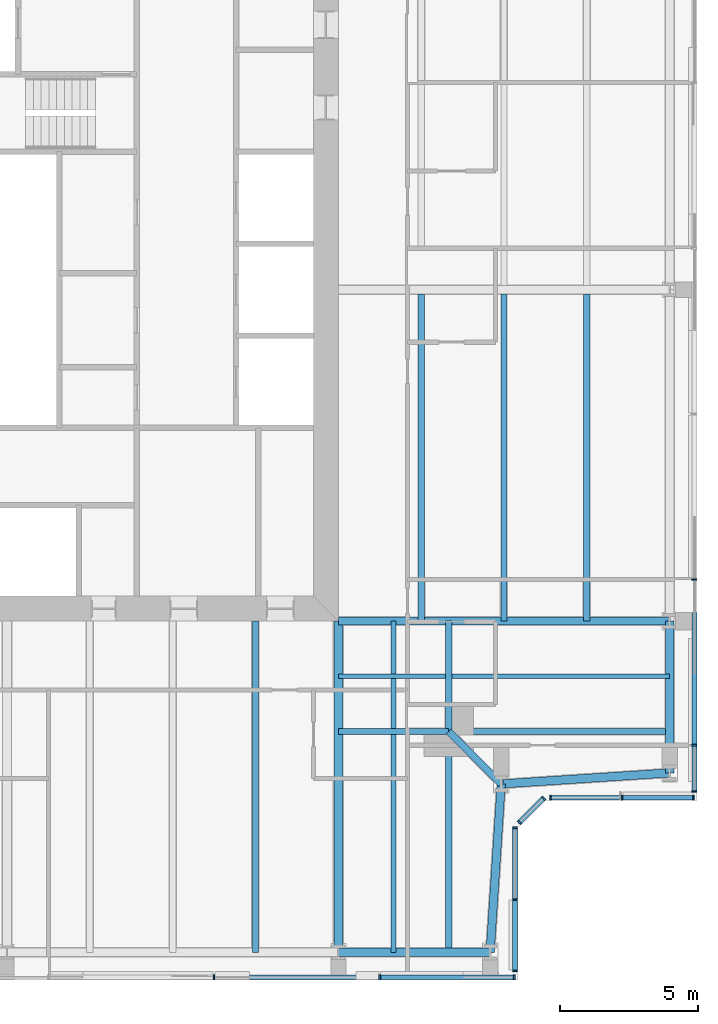
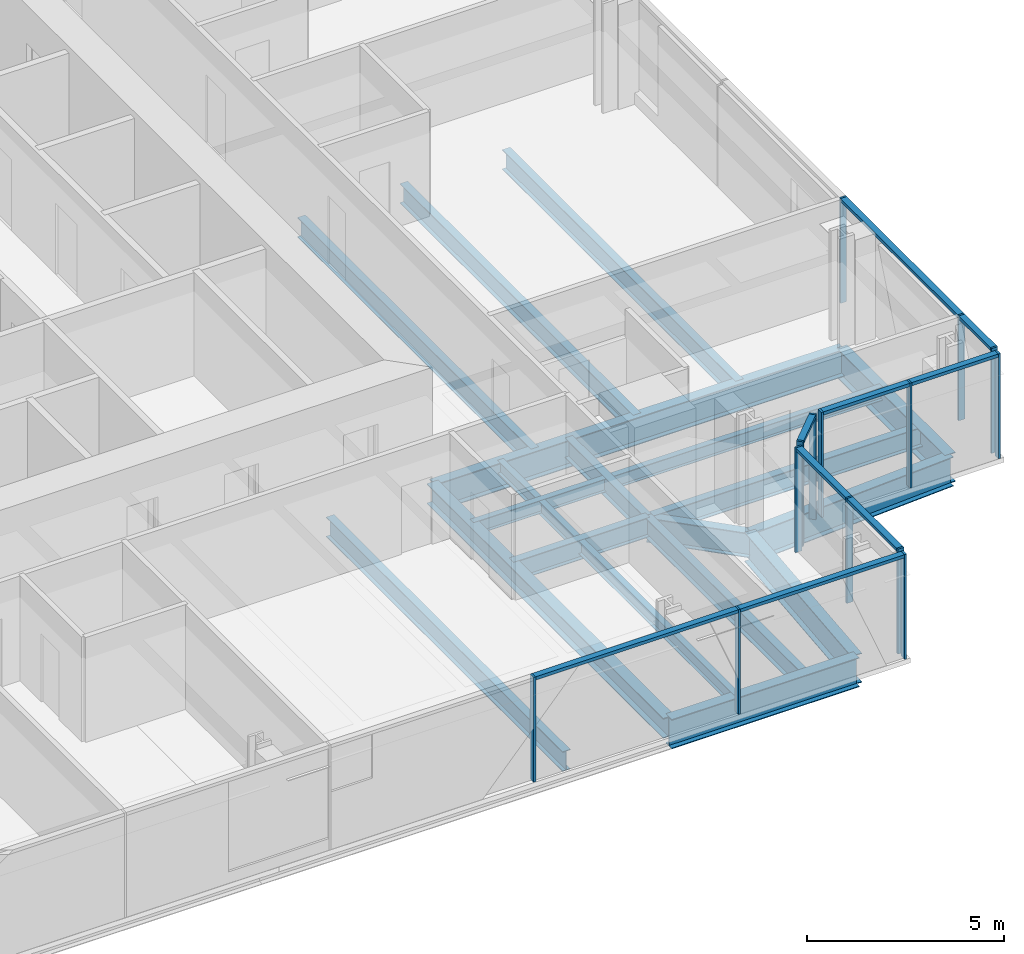
# One storey, part 5 of 20: 23 members, 20 beams, 5 elements without a shape of their own.
"""IFC4 building model written with IfcOpenShell, lengths in metres."""

from ifc_helpers import new_model, si_unit, direction, frame, origin, origin_2d, place, context, subcontext, project, spatial, rectangle, i_section, extrude, material, material_profile, profile_set, type_object, element, aggregate, save


model = new_model("IFC4")

# Units and contexts
model_context = context("Model", 3, precision=1e-05, world=origin(), true_north=direction((0.0, 1.0)))
body_context = subcontext(model_context, "Body", "Model", "MODEL_VIEW")
ifc_project = project(units=[si_unit("LENGTHUNIT", "METRE"), si_unit("AREAUNIT", "SQUARE_METRE"), si_unit("VOLUMEUNIT", "CUBIC_METRE"), si_unit("PLANEANGLEUNIT", "RADIAN"), si_unit("MASSUNIT", "GRAM", prefix="KILO")], contexts=[model_context])

# Site, building, storey
site_placement = place(None, origin())
site = spatial("IfcSite", under=ifc_project, at=site_placement, CompositionType="ELEMENT")
building_placement = place(site_placement, origin())
building = spatial("IfcBuilding", under=site, at=building_placement, Name="Fenwick Lantern Interchange", CompositionType="ELEMENT")
storey_placement = place(building_placement, frame((0.0, 0.0, 286.60009765625)))
storey = spatial("IfcBuildingStorey", under=building, at=storey_placement, Name="L69", CompositionType="ELEMENT", Elevation=286.60009765625)

# Beams
ifc_material_1 = material(Name="Steel ASTM A992 Grade 50", Category="steel")
ifc_material_profile_1 = material_profile(ifc_material_1, i_section(OverallWidth=0.3046875, OverallDepth=0.911865234375, WebThickness=0.015869140625, FlangeThickness=0.02392578125, at=origin_2d()), Name="W36X150")
ifc_profile_set_1 = profile_set([ifc_material_profile_1], Name="Steel ASTM A992 Grade 50")
beam_type_1 = type_object("IfcBeamType", Name="EDGE BEAM W36X150", PredefinedType="SPANDREL", material=ifc_profile_set_1)
beam_1_placement = place(storey_placement, frame((37.0, 1.0, -0.60595703125), z_axis=(1.0, 0.0, 0.0), x_axis=(0.0, 1.0, 0.0)))
element("IfcBeam", 1, at=beam_1_placement, inside=storey, type_object=beam_type_1, Name="L69/FR/S/EB4", PredefinedType="SPANDREL", context=body_context, shape_type="SweptSolid", body=[
    extrude(i_section(OverallWidth=0.3046875, OverallDepth=0.911865234375, WebThickness=0.015869140625, FlangeThickness=0.02392578125, at=origin_2d()), origin(), (0.0, 0.0, 1.0), 5.5),
])
for number, where, z_axis, x_axis, name in (
    (2, (42.5, 1.0, -0.60595703125), (0.065416293237, 0.997858060337, 0.0), (-0.997858060337, 0.065416293237, 0.0), "L69/FR/S/EBR1"),
    (3, (42.89990234375, 7.10009765625, -0.60595703125), (0.997858060337, 0.065416293237, 0.0), (-0.065416293237, 0.997858060337, 0.0), "L69/FR/S/EBR2"),
):
    element("IfcBeam", number, at=place(storey_placement, frame(where, z_axis=z_axis, x_axis=x_axis)), inside=storey, type_object=beam_type_1, Name=name, PredefinedType="SPANDREL", context=body_context, shape_type="SweptSolid", body=[
        extrude(i_section(OverallWidth=0.3046875, OverallDepth=0.911865234375, WebThickness=0.015869140625, FlangeThickness=0.02392578125, at=origin_2d()), origin(), (0.0, 0.0, 1.0), 6.11328125),
    ])
beam_2_placement = place(storey_placement, frame((49.0, 7.5, -0.60595703125), z_axis=(0.0, 1.0, 0.0), x_axis=(-1.0, 0.0, 0.0)))
element("IfcBeam", 4, at=beam_2_placement, inside=storey, type_object=beam_type_1, Name="L69/FR/E/EB1", PredefinedType="SPANDREL", context=body_context, shape_type="SweptSolid", body=[
    extrude(i_section(OverallWidth=0.3046875, OverallDepth=0.911865234375, WebThickness=0.015869140625, FlangeThickness=0.02392578125, at=origin_2d()), origin(), (0.0, 0.0, 1.0), 5.5),
])
ifc_material_profile_2 = material_profile(ifc_material_1, i_section(OverallWidth=0.22900390625, OverallDepth=0.612060546875, WebThickness=0.011962890625, FlangeThickness=0.01953125, at=origin_2d()), Name="W24X84")
ifc_profile_set_2 = profile_set([ifc_material_profile_2], Name="Steel ASTM A992 Grade 50")
beam_type_2 = type_object("IfcBeamType", Name="FLOOR BEAM W24X84", PredefinedType="BEAM", material=ifc_profile_set_2)
beam_3_placement = place(storey_placement, frame((34.0, 1.0, -0.4560546875), z_axis=(0.0, 1.0, 0.0), x_axis=(-1.0, 0.0, 0.0)))
element("IfcBeam", 5, at=beam_3_placement, inside=storey, type_object=beam_type_2, Name="L69/FR/S/R08", PredefinedType="BEAM", context=body_context, shape_type="SweptSolid", body=[
    extrude(i_section(OverallWidth=0.22900390625, OverallDepth=0.612060546875, WebThickness=0.011962890625, FlangeThickness=0.01953125, at=origin_2d()), origin(), (0.0, 0.0, 1.0), 12.0),
])
for number, where, z_axis, x_axis, name in (
    (6, (46.0, 13.0, -0.4560546875), (0.0, 1.0, 0.0), (-1.0, 0.0, 0.0), "L69/FR/E/B01"),
    (7, (43.0, 13.0, -0.4560546875), (0.0, 1.0, 0.0), (-1.0, 0.0, 0.0), "L69/FR/E/B02"),
    (8, (40.0, 13.0, -0.4560546875), (0.0, 1.0, 0.0), (-1.0, 0.0, 0.0), "L69/FR/E/B03"),
):
    element("IfcBeam", number, at=place(storey_placement, frame(where, z_axis=z_axis, x_axis=x_axis)), inside=storey, type_object=beam_type_2, Name=name, PredefinedType="BEAM", context=body_context, shape_type="SweptSolid", body=[
        extrude(i_section(OverallWidth=0.22900390625, OverallDepth=0.612060546875, WebThickness=0.011962890625, FlangeThickness=0.01953125, at=origin_2d()), origin(), (0.0, 0.0, 1.0), 11.844970703125),
    ])

# Curtain wall, members
ifc_material_2 = material(Name="Aluminium curtain wall frame", Category="aluminium")
curtain_wall_type = type_object("IfcCurtainWallType", Name="HOTEL CURTAIN WALL", PredefinedType="USERDEFINED", material=ifc_material_2)
curtain_wall_1_placement = place(storey_placement, origin())
curtain_wall_1 = element("IfcCurtainWall", 9, at=curtain_wall_1_placement, inside=storey, type_object=curtain_wall_type, Name="Hotel curtain wall 01", ObjectType="HOTEL CURTAIN WALL", PredefinedType="USERDEFINED")
ifc_material_3 = material(Name="Aluminium extrusion", Category="aluminium")
ifc_material_profile_3 = material_profile(ifc_material_3, rectangle(XDim=0.179931640625, YDim=0.06005859375, at=origin_2d()), Name="HOTEL CURTAIN WALL MULLION 60 X 180")
ifc_profile_set_3 = profile_set([ifc_material_profile_3], Name="Aluminium extrusion")
member_type_1 = type_object("IfcMemberType", Name="HOTEL CURTAIN WALL MULLION 60 X 180", PredefinedType="MULLION", material=ifc_profile_set_3)
member_1_placement = place(storey_placement, frame((32.5, 0.10009765625, 0.0), z_axis=(0.0, 0.0, 1.0), x_axis=(0.0, 1.0, 0.0)))
member_1 = element("IfcMember", 10, at=member_1_placement, type_object=member_type_1, Name="L69/CW/01/M05", PredefinedType="MULLION", context=body_context, shape_type="SweptSolid", body=[
    extrude(rectangle(XDim=0.179931640625, YDim=0.06005859375, at=origin_2d()), origin(), (0.0, 0.0, 1.0), 3.25),
])
member_2_placement = place(storey_placement, frame((38.5, 0.10009765625, 0.0), z_axis=(0.0, 0.0, 1.0), x_axis=(0.0, 1.0, 0.0)))
member_2 = element("IfcMember", 11, at=member_2_placement, type_object=member_type_1, Name="L69/CW/01/M06", PredefinedType="MULLION", context=body_context, shape_type="SweptSolid", body=[
    extrude(rectangle(XDim=0.179931640625, YDim=0.06005859375, at=origin_2d()), origin(), (0.0, 0.0, 1.0), 3.25),
])
member_3_placement = place(storey_placement, frame((43.3701171875, 0.10009765625, 0.0), z_axis=(0.0, 0.0, 1.0), x_axis=(0.0, 1.0, 0.0)))
member_3 = element("IfcMember", 12, at=member_3_placement, type_object=member_type_1, Name="L69/CW/01/M07", PredefinedType="MULLION", context=body_context, shape_type="SweptSolid", body=[
    extrude(rectangle(XDim=0.179931640625, YDim=0.06005859375, at=origin_2d()), origin(), (0.0, 0.0, 1.0), 3.25),
])

curtain_wall_2_placement = place(storey_placement, origin())
curtain_wall_2 = element("IfcCurtainWall", 13, at=curtain_wall_2_placement, inside=storey, type_object=curtain_wall_type, Name="Hotel curtain wall 02", ObjectType="HOTEL CURTAIN WALL", PredefinedType="USERDEFINED")
member_4_placement = place(storey_placement, frame((43.39990234375, 0.330078125, 0.0), z_axis=(0.0, 0.0, 1.0), x_axis=(-1.0, 0.0, 0.0)))
member_4 = element("IfcMember", 14, at=member_4_placement, type_object=member_type_1, Name="L69/CW/02/M00", PredefinedType="MULLION", context=body_context, shape_type="SweptSolid", body=[
    extrude(rectangle(XDim=0.179931640625, YDim=0.06005859375, at=origin_2d()), origin(), (0.0, 0.0, 1.0), 3.25),
])
member_5_placement = place(storey_placement, frame((43.39990234375, 2.920654296875, 0.0), z_axis=(0.0, 0.0, 1.0), x_axis=(-1.0, 0.0, 0.0)))
member_5 = element("IfcMember", 15, at=member_5_placement, type_object=member_type_1, Name="L69/CW/02/M01", PredefinedType="MULLION", context=body_context, shape_type="SweptSolid", body=[
    extrude(rectangle(XDim=0.179931640625, YDim=0.06005859375, at=origin_2d()), origin(), (0.0, 0.0, 1.0), 3.25),
])
member_6_placement = place(storey_placement, frame((43.39990234375, 5.511474609375, 0.0), z_axis=(0.0, 0.0, 1.0), x_axis=(-1.0, 0.0, 0.0)))
member_6 = element("IfcMember", 16, at=member_6_placement, type_object=member_type_1, Name="L69/CW/02/M02", PredefinedType="MULLION", context=body_context, shape_type="SweptSolid", body=[
    extrude(rectangle(XDim=0.179931640625, YDim=0.06005859375, at=origin_2d()), origin(), (0.0, 0.0, 1.0), 3.25),
])

curtain_wall_3_placement = place(storey_placement, origin())
curtain_wall_3 = element("IfcCurtainWall", 17, at=curtain_wall_3_placement, inside=storey, type_object=curtain_wall_type, Name="Hotel curtain wall 03", ObjectType="HOTEL CURTAIN WALL", PredefinedType="USERDEFINED")
member_7_placement = place(storey_placement, frame((43.562744140625, 5.7041015625, 0.0), z_axis=(0.0, 0.0, 1.0), x_axis=(-0.707106781187, 0.707106781187, 0.0)))
member_7 = element("IfcMember", 18, at=member_7_placement, type_object=member_type_1, Name="L69/CW/03/M00", PredefinedType="MULLION", context=body_context, shape_type="SweptSolid", body=[
    extrude(rectangle(XDim=0.179931640625, YDim=0.06005859375, at=origin_2d()), origin(), (0.0, 0.0, 1.0), 3.25),
])
member_8_placement = place(storey_placement, frame((44.437255859375, 6.578857421875, 0.0), z_axis=(0.0, 0.0, 1.0), x_axis=(-0.707106781187, 0.707106781187, 0.0)))
member_8 = element("IfcMember", 19, at=member_8_placement, type_object=member_type_1, Name="L69/CW/03/M01", PredefinedType="MULLION", context=body_context, shape_type="SweptSolid", body=[
    extrude(rectangle(XDim=0.179931640625, YDim=0.06005859375, at=origin_2d()), origin(), (0.0, 0.0, 1.0), 3.25),
])

curtain_wall_4_placement = place(storey_placement, origin())
curtain_wall_4 = element("IfcCurtainWall", 20, at=curtain_wall_4_placement, inside=storey, type_object=curtain_wall_type, Name="Hotel curtain wall 04", ObjectType="HOTEL CURTAIN WALL", PredefinedType="USERDEFINED")
member_9_placement = place(storey_placement, frame((44.6884765625, 6.60009765625, 0.0), z_axis=(0.0, 0.0, 1.0), x_axis=(0.0, 1.0, 0.0)))
member_9 = element("IfcMember", 21, at=member_9_placement, type_object=member_type_1, Name="L69/CW/04/M00", PredefinedType="MULLION", context=body_context, shape_type="SweptSolid", body=[
    extrude(rectangle(XDim=0.179931640625, YDim=0.06005859375, at=origin_2d()), origin(), (0.0, 0.0, 1.0), 3.25),
])
member_10_placement = place(storey_placement, frame((47.279296875, 6.60009765625, 0.0), z_axis=(0.0, 0.0, 1.0), x_axis=(0.0, 1.0, 0.0)))
member_10 = element("IfcMember", 22, at=member_10_placement, type_object=member_type_1, Name="L69/CW/04/M01", PredefinedType="MULLION", context=body_context, shape_type="SweptSolid", body=[
    extrude(rectangle(XDim=0.179931640625, YDim=0.06005859375, at=origin_2d()), origin(), (0.0, 0.0, 1.0), 3.25),
])
member_11_placement = place(storey_placement, frame((49.8701171875, 6.60009765625, 0.0), z_axis=(0.0, 0.0, 1.0), x_axis=(0.0, 1.0, 0.0)))
member_11 = element("IfcMember", 23, at=member_11_placement, type_object=member_type_1, Name="L69/CW/04/M02", PredefinedType="MULLION", context=body_context, shape_type="SweptSolid", body=[
    extrude(rectangle(XDim=0.179931640625, YDim=0.06005859375, at=origin_2d()), origin(), (0.0, 0.0, 1.0), 3.25),
])

curtain_wall_5_placement = place(storey_placement, origin())
curtain_wall_5 = element("IfcCurtainWall", 24, at=curtain_wall_5_placement, inside=storey, type_object=curtain_wall_type, Name="Hotel curtain wall 05", ObjectType="HOTEL CURTAIN WALL", PredefinedType="USERDEFINED")
member_12_placement = place(storey_placement, frame((49.89990234375, 6.830078125, 0.0), z_axis=(0.0, 0.0, 1.0), x_axis=(-1.0, 0.0, 0.0)))
member_12 = element("IfcMember", 25, at=member_12_placement, type_object=member_type_1, Name="L69/CW/05/M00", PredefinedType="MULLION", context=body_context, shape_type="SweptSolid", body=[
    extrude(rectangle(XDim=0.179931640625, YDim=0.06005859375, at=origin_2d()), origin(), (0.0, 0.0, 1.0), 3.25),
])
member_13_placement = place(storey_placement, frame((49.89990234375, 8.5, 0.0), z_axis=(0.0, 0.0, 1.0), x_axis=(-1.0, 0.0, 0.0)))
member_13 = element("IfcMember", 26, at=member_13_placement, type_object=member_type_1, Name="L69/CW/05/M01", PredefinedType="MULLION", context=body_context, shape_type="SweptSolid", body=[
    extrude(rectangle(XDim=0.179931640625, YDim=0.06005859375, at=origin_2d()), origin(), (0.0, 0.0, 1.0), 3.25),
])
member_14_placement = place(storey_placement, frame((49.89990234375, 14.5, 0.0), z_axis=(0.0, 0.0, 1.0), x_axis=(-1.0, 0.0, 0.0)))
member_14 = element("IfcMember", 27, at=member_14_placement, type_object=member_type_1, Name="L69/CW/05/M02", PredefinedType="MULLION", context=body_context, shape_type="SweptSolid", body=[
    extrude(rectangle(XDim=0.179931640625, YDim=0.06005859375, at=origin_2d()), origin(), (0.0, 0.0, 1.0), 3.25),
])

# Member
ifc_material_profile_4 = material_profile(ifc_material_3, rectangle(XDim=0.179931640625, YDim=0.10009765625, at=origin_2d()), Name="HOTEL CURTAIN WALL TRANSOM 100 X 180")
ifc_profile_set_4 = profile_set([ifc_material_profile_4], Name="Aluminium extrusion")
member_type_2 = type_object("IfcMemberType", Name="HOTEL CURTAIN WALL TRANSOM 100 X 180", PredefinedType="MULLION", material=ifc_profile_set_4)
member_15_placement = place(storey_placement, frame((32.530029296875, 0.10009765625, 3.199951171875), z_axis=(1.0, 0.0, 0.0), x_axis=(0.0, 1.0, 0.0)))
member_15 = element("IfcMember", 28, at=member_15_placement, type_object=member_type_2, Name="L69/CW/01/T05", PredefinedType="MULLION", context=body_context, shape_type="SweptSolid", body=[
    extrude(rectangle(XDim=0.179931640625, YDim=0.10009765625, at=origin_2d()), origin(), (0.0, 0.0, 1.0), 5.93994140625),
])

member_16_placement = place(storey_placement, frame((38.530029296875, 0.10009765625, 3.199951171875), z_axis=(1.0, 0.0, 0.0), x_axis=(0.0, 1.0, 0.0)))
member_16 = element("IfcMember", 29, at=member_16_placement, type_object=member_type_2, Name="L69/CW/01/T06", PredefinedType="MULLION", context=body_context, shape_type="SweptSolid", body=[
    extrude(rectangle(XDim=0.179931640625, YDim=0.10009765625, at=origin_2d()), origin(), (0.0, 0.0, 1.0), 4.81005859375),
])

aggregate(curtain_wall_1, [member_1, member_2, member_3, member_15, member_16])

member_17_placement = place(storey_placement, frame((43.39990234375, 0.360107421875, 3.199951171875), z_axis=(0.0, 1.0, 0.0), x_axis=(-1.0, 0.0, 0.0)))
member_17 = element("IfcMember", 30, at=member_17_placement, type_object=member_type_2, Name="L69/CW/02/T00", PredefinedType="MULLION", context=body_context, shape_type="SweptSolid", body=[
    extrude(rectangle(XDim=0.179931640625, YDim=0.10009765625, at=origin_2d()), origin(), (0.0, 0.0, 1.0), 2.530517578125),
])

member_18_placement = place(storey_placement, frame((43.39990234375, 2.95068359375, 3.199951171875), z_axis=(0.0, 1.0, 0.0), x_axis=(-1.0, 0.0, 0.0)))
member_18 = element("IfcMember", 31, at=member_18_placement, type_object=member_type_2, Name="L69/CW/02/T01", PredefinedType="MULLION", context=body_context, shape_type="SweptSolid", body=[
    extrude(rectangle(XDim=0.179931640625, YDim=0.10009765625, at=origin_2d()), origin(), (0.0, 0.0, 1.0), 2.53076171875),
])

aggregate(curtain_wall_2, [member_4, member_5, member_6, member_17, member_18])

member_19_placement = place(storey_placement, frame((43.583740234375, 5.725341796875, 3.199951171875), z_axis=(0.707210470133, 0.707003077033, 0.0), x_axis=(-0.707003077033, 0.707210470133, 0.0)))
member_19 = element("IfcMember", 32, at=member_19_placement, type_object=member_type_2, Name="L69/CW/03/T00", PredefinedType="MULLION", context=body_context, shape_type="SweptSolid", body=[
    extrude(rectangle(XDim=0.179931640625, YDim=0.10009765625, at=origin_2d()), origin(), (0.0, 0.0, 1.0), 1.17724609375),
])

aggregate(curtain_wall_3, [member_7, member_8, member_19])

member_20_placement = place(storey_placement, frame((44.718505859375, 6.60009765625, 3.199951171875), z_axis=(1.0, 0.0, 0.0), x_axis=(0.0, 1.0, 0.0)))
member_20 = element("IfcMember", 33, at=member_20_placement, type_object=member_type_2, Name="L69/CW/04/T00", PredefinedType="MULLION", context=body_context, shape_type="SweptSolid", body=[
    extrude(rectangle(XDim=0.179931640625, YDim=0.10009765625, at=origin_2d()), origin(), (0.0, 0.0, 1.0), 2.53076171875),
])

member_21_placement = place(storey_placement, frame((47.309326171875, 6.60009765625, 3.199951171875), z_axis=(1.0, 0.0, 0.0), x_axis=(0.0, 1.0, 0.0)))
member_21 = element("IfcMember", 34, at=member_21_placement, type_object=member_type_2, Name="L69/CW/04/T01", PredefinedType="MULLION", context=body_context, shape_type="SweptSolid", body=[
    extrude(rectangle(XDim=0.179931640625, YDim=0.10009765625, at=origin_2d()), origin(), (0.0, 0.0, 1.0), 2.53076171875),
])

aggregate(curtain_wall_4, [member_9, member_10, member_11, member_20, member_21])

member_22_placement = place(storey_placement, frame((49.89990234375, 6.860107421875, 3.199951171875), z_axis=(0.0, 1.0, 0.0), x_axis=(-1.0, 0.0, 0.0)))
member_22 = element("IfcMember", 35, at=member_22_placement, type_object=member_type_2, Name="L69/CW/05/T00", PredefinedType="MULLION", context=body_context, shape_type="SweptSolid", body=[
    extrude(rectangle(XDim=0.179931640625, YDim=0.10009765625, at=origin_2d()), origin(), (0.0, 0.0, 1.0), 1.60986328125),
])

member_23_placement = place(storey_placement, frame((49.89990234375, 8.530029296875, 3.199951171875), z_axis=(0.0, 1.0, 0.0), x_axis=(-1.0, 0.0, 0.0)))
member_23 = element("IfcMember", 36, at=member_23_placement, type_object=member_type_2, Name="L69/CW/05/T01", PredefinedType="MULLION", context=body_context, shape_type="SweptSolid", body=[
    extrude(rectangle(XDim=0.179931640625, YDim=0.10009765625, at=origin_2d()), origin(), (0.0, 0.0, 1.0), 5.93994140625),
])

aggregate(curtain_wall_5, [member_12, member_13, member_14, member_22, member_23])

# Beams
ifc_material_profile_5 = material_profile(ifc_material_1, i_section(OverallWidth=0.177734375, OverallDepth=0.406494140625, WebThickness=0.0078125, FlangeThickness=0.012939453125, at=origin_2d()), Name="W16X40")
ifc_profile_set_5 = profile_set([ifc_material_profile_5], Name="Steel ASTM A992 Grade 50")
beam_type_3 = type_object("IfcBeamType", Name="INFILL BEAM W16X40", PredefinedType="JOIST", material=ifc_profile_set_5)
beam_4_placement = place(storey_placement, frame((49.0, 11.0, -0.353271484375), z_axis=(-1.0, 0.0, 0.0), x_axis=(0.0, -1.0, 0.0)))
element("IfcBeam", 37, at=beam_4_placement, inside=storey, type_object=beam_type_3, Name="L69/FR/E/J1", PredefinedType="JOIST", context=body_context, shape_type="SweptSolid", body=[
    extrude(i_section(OverallWidth=0.177734375, OverallDepth=0.406494140625, WebThickness=0.0078125, FlangeThickness=0.012939453125, at=origin_2d()), origin(), (0.0, 0.0, 1.0), 7.885498046875),
])
beam_5_placement = place(storey_placement, frame((40.885498046875, 11.0, -0.353271484375), z_axis=(-1.0, 0.0, 0.0), x_axis=(0.0, -1.0, 0.0)))
element("IfcBeam", 38, at=beam_5_placement, inside=storey, type_object=beam_type_3, Name="L69/FR/E/J2", PredefinedType="JOIST", context=body_context, shape_type="SweptSolid", body=[
    extrude(i_section(OverallWidth=0.177734375, OverallDepth=0.406494140625, WebThickness=0.0078125, FlangeThickness=0.012939453125, at=origin_2d()), origin(), (0.0, 0.0, 1.0), 3.885498046875),
])
beam_6_placement = place(storey_placement, frame((39.0, 1.0, -0.353271484375), z_axis=(0.0, 1.0, 0.0), x_axis=(-1.0, 0.0, 0.0)))
element("IfcBeam", 39, at=beam_6_placement, inside=storey, type_object=beam_type_3, Name="L69/FR/E/J3", PredefinedType="JOIST", context=body_context, shape_type="SweptSolid", body=[
    extrude(i_section(OverallWidth=0.177734375, OverallDepth=0.406494140625, WebThickness=0.0078125, FlangeThickness=0.012939453125, at=origin_2d()), origin(), (0.0, 0.0, 1.0), 7.885498046875),
])
beam_7_placement = place(storey_placement, frame((39.0, 9.114501953125, -0.353271484375), z_axis=(0.0, 1.0, 0.0), x_axis=(-1.0, 0.0, 0.0)))
element("IfcBeam", 40, at=beam_7_placement, inside=storey, type_object=beam_type_3, Name="L69/FR/E/J4", PredefinedType="JOIST", context=body_context, shape_type="SweptSolid", body=[
    extrude(i_section(OverallWidth=0.177734375, OverallDepth=0.406494140625, WebThickness=0.0078125, FlangeThickness=0.012939453125, at=origin_2d()), origin(), (0.0, 0.0, 1.0), 1.796630859375),
])
beam_8_placement = place(storey_placement, frame((39.0, 11.0888671875, -0.353271484375), z_axis=(0.0, 1.0, 0.0), x_axis=(-1.0, 0.0, 0.0)))
element("IfcBeam", 41, at=beam_8_placement, inside=storey, type_object=beam_type_3, Name="L69/FR/E/J5", PredefinedType="JOIST", context=body_context, shape_type="SweptSolid", body=[
    extrude(i_section(OverallWidth=0.177734375, OverallDepth=0.406494140625, WebThickness=0.0078125, FlangeThickness=0.012939453125, at=origin_2d()), origin(), (0.0, 0.0, 1.0), 1.9111328125),
])
ifc_material_profile_6 = material_profile(ifc_material_1, i_section(OverallWidth=0.22900390625, OverallDepth=0.612060546875, WebThickness=0.011962890625, FlangeThickness=0.01953125, at=origin_2d()), Name="W24X84")
ifc_profile_set_6 = profile_set([ifc_material_profile_6], Name="Steel ASTM A992 Grade 50")
beam_type_4 = type_object("IfcBeamType", Name="MEGA COLUMN BEAM W24X84", PredefinedType="BEAM", material=ifc_profile_set_6)
for number, where, z_axis, x_axis, name in (
    (42, (41.0, 9.0, -0.4560546875), (1.0, 0.0, 0.0), (0.0, 1.0, 0.0), "L69/FR/E/MB1"),
    (43, (41.0, 9.0, -0.4560546875), (0.0, -1.0, 0.0), (1.0, 0.0, 0.0), "L69/FR/E/MB2"),
):
    element("IfcBeam", number, at=place(storey_placement, frame(where, z_axis=z_axis, x_axis=x_axis)), inside=storey, type_object=beam_type_4, Name=name, PredefinedType="BEAM", context=body_context, shape_type="SweptSolid", body=[
        extrude(i_section(OverallWidth=0.22900390625, OverallDepth=0.612060546875, WebThickness=0.011962890625, FlangeThickness=0.01953125, at=origin_2d()), origin(), (0.0, 0.0, 1.0), 8.0),
    ])
for number, where, z_axis, x_axis, name in (
    (44, (41.0, 9.0, -0.4560546875), (0.0, 1.0, 0.0), (-1.0, 0.0, 0.0), "L69/FR/E/MB3"),
    (45, (41.0, 9.0, -0.4560546875), (-1.0, 0.0, 0.0), (0.0, -1.0, 0.0), "L69/FR/E/MB4"),
):
    element("IfcBeam", number, at=place(storey_placement, frame(where, z_axis=z_axis, x_axis=x_axis)), inside=storey, type_object=beam_type_4, Name=name, PredefinedType="BEAM", context=body_context, shape_type="SweptSolid", body=[
        extrude(i_section(OverallWidth=0.22900390625, OverallDepth=0.612060546875, WebThickness=0.011962890625, FlangeThickness=0.01953125, at=origin_2d()), origin(), (0.0, 0.0, 1.0), 4.0),
    ])
ifc_material_profile_7 = material_profile(ifc_material_1, i_section(OverallWidth=0.32763671875, OverallDepth=0.622314453125, WebThickness=0.015380859375, FlangeThickness=0.0244140625, at=origin_2d()), Name="W24X131")
ifc_profile_set_7 = profile_set([ifc_material_profile_7], Name="Steel ASTM A992 Grade 50")
beam_type_5 = type_object("IfcBeamType", Name="MOMENT-CONNECTED GIRDER W24X131", PredefinedType="BEAM", material=ifc_profile_set_7)
beam_9_placement = place(storey_placement, frame((37.0, 1.0, -0.461181640625), z_axis=(0.0, 1.0, 0.0), x_axis=(-1.0, 0.0, 0.0)))
element("IfcBeam", 46, at=beam_9_placement, inside=storey, type_object=beam_type_5, Name="L69/FR/S/R09", PredefinedType="BEAM", context=body_context, shape_type="SweptSolid", body=[
    extrude(i_section(OverallWidth=0.32763671875, OverallDepth=0.622314453125, WebThickness=0.015380859375, FlangeThickness=0.0244140625, at=origin_2d()), origin(), (0.0, 0.0, 1.0), 12.0),
])
ifc_material_profile_8 = material_profile(ifc_material_1, i_section(OverallWidth=0.2919921875, OverallDepth=0.845703125, WebThickness=0.015380859375, FlangeThickness=0.0244140625, at=origin_2d()), Name="W33X141")
ifc_profile_set_8 = profile_set([ifc_material_profile_8], Name="Steel ASTM A992 Grade 50")
beam_type_6 = type_object("IfcBeamType", Name="MOMENT-CONNECTED GIRDER W33X141", PredefinedType="BEAM", material=ifc_profile_set_8)
beam_10_placement = place(storey_placement, frame((49.0, 13.0, -0.572998046875), z_axis=(-1.0, 0.0, 0.0), x_axis=(0.0, -1.0, 0.0)))
element("IfcBeam", 47, at=beam_10_placement, inside=storey, type_object=beam_type_6, Name="L69/FR/E/R01", PredefinedType="BEAM", context=body_context, shape_type="SweptSolid", body=[
    extrude(i_section(OverallWidth=0.2919921875, OverallDepth=0.845703125, WebThickness=0.015380859375, FlangeThickness=0.0244140625, at=origin_2d()), origin(), (0.0, 0.0, 1.0), 12.0),
])
ifc_material_profile_9 = material_profile(ifc_material_1, i_section(OverallWidth=0.2666015625, OverallDepth=0.7568359375, WebThickness=0.013916015625, FlangeThickness=0.019287109375, at=origin_2d()), Name="W30X108")
ifc_profile_set_9 = profile_set([ifc_material_profile_9], Name="Steel ASTM A992 Grade 50")
beam_type_7 = type_object("IfcBeamType", Name="NOTCH BEAM W30X108", PredefinedType="BEAM", material=ifc_profile_set_9)
beam_11_placement = place(storey_placement, frame((41.0, 9.0, -0.528564453125), z_axis=(0.707106781187, -0.707106781187, 0.0), x_axis=(0.707106781187, 0.707106781187, 0.0)))
element("IfcBeam", 48, at=beam_11_placement, inside=storey, type_object=beam_type_7, Name="L69/FR/E/TG", PredefinedType="BEAM", context=body_context, shape_type="SweptSolid", body=[
    extrude(i_section(OverallWidth=0.2666015625, OverallDepth=0.7568359375, WebThickness=0.013916015625, FlangeThickness=0.019287109375, at=origin_2d()), origin(), (0.0, 0.0, 1.0), 2.686767578125),
])

save(model, "model.ifc")
